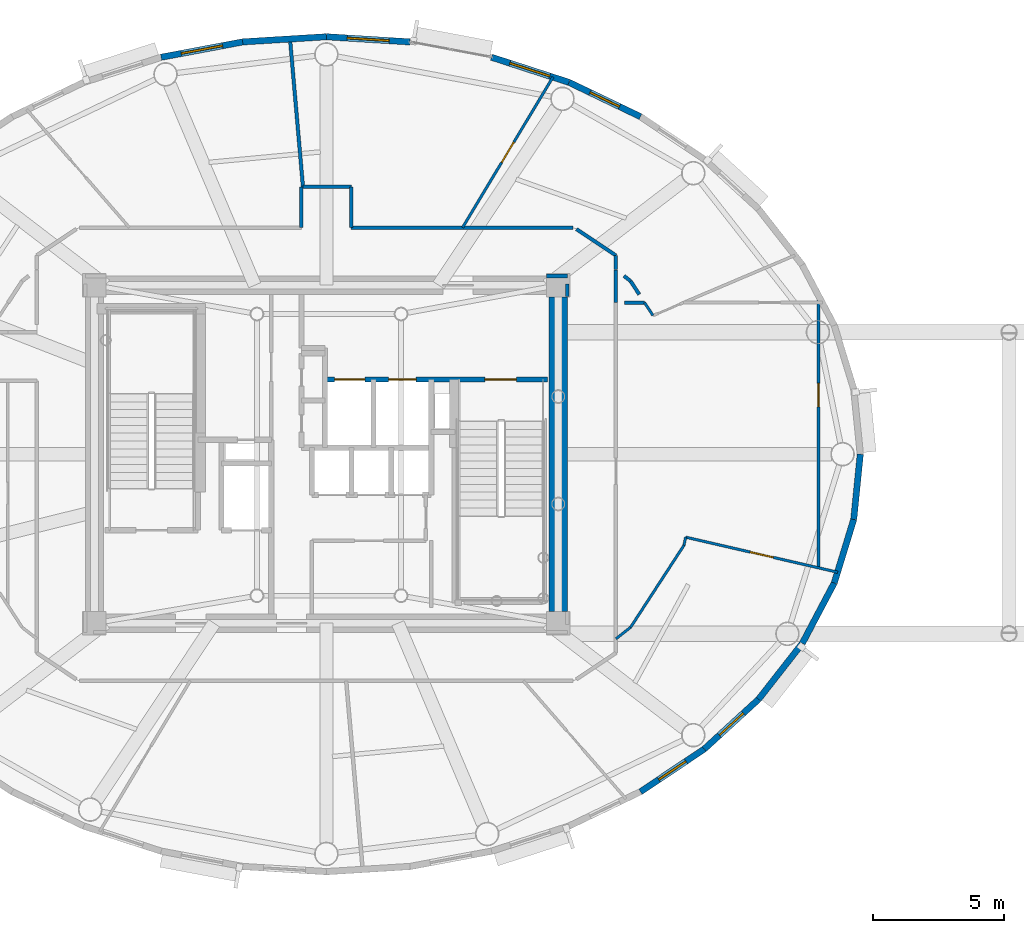
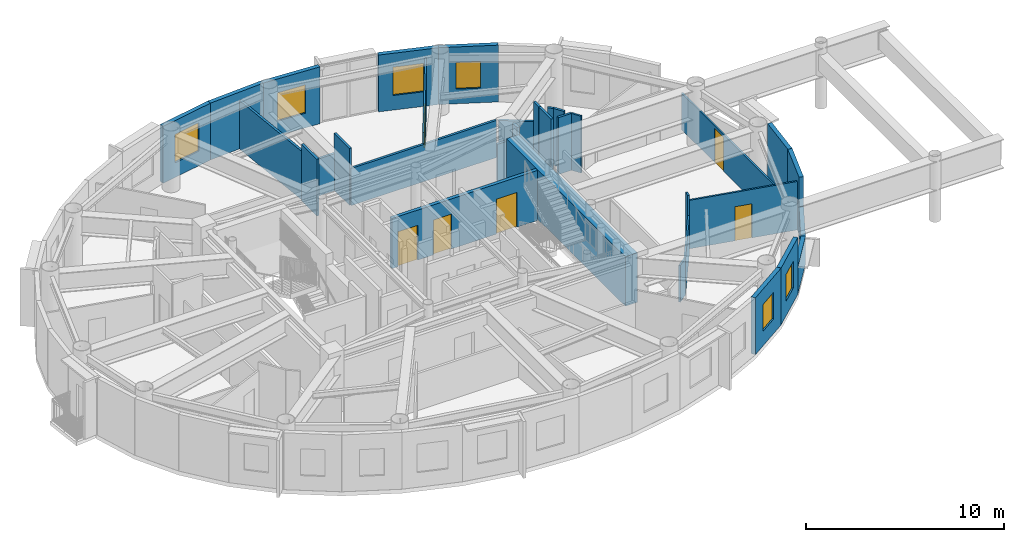
# One storey, part 9 of 16: 33 walls, 6 doors, 6 windows, 12 openings.
"""IFC4 building model written with IfcOpenShell, lengths in metres."""

from ifc_helpers import new_model, si_unit, direction, frame, frame_2d, origin, origin_2d, place, context, subcontext, project, spatial, rectangle, extrude, source, transform, mapped, material, layer, layer_set, type_object, element, fill, save


model = new_model("IFC4")

# Units and contexts
model_context = context("Model", 3, precision=1e-05, world=origin(), true_north=direction((0.0, 1.0)))
body_context = subcontext(model_context, "Body", "Model", "MODEL_VIEW")
ifc_project = project(units=[si_unit("LENGTHUNIT", "METRE"), si_unit("AREAUNIT", "SQUARE_METRE"), si_unit("VOLUMEUNIT", "CUBIC_METRE"), si_unit("PLANEANGLEUNIT", "RADIAN"), si_unit("MASSUNIT", "GRAM", prefix="KILO")], contexts=[model_context])

# Site, building, storey
site_placement = place(None, origin())
site = spatial("IfcSite", under=ifc_project, at=site_placement, CompositionType="ELEMENT")
building_placement = place(site_placement, origin())
building = spatial("IfcBuilding", under=site, at=building_placement, Name="Linh Dai School and Residence Tower", CompositionType="ELEMENT")
storey_placement = place(building_placement, frame((0.0, 0.0, 343.0)))
storey = spatial("IfcBuildingStorey", under=building, at=storey_placement, Name="L85", CompositionType="ELEMENT", Elevation=343.0)

# Wall, opening, window
ifc_material_1 = material(Name="Precast Concrete B45 (C35/45)", Category="concrete")
ifc_layer_1 = layer(ifc_material_1, 0.239990234375)
ifc_layer_set_1 = layer_set([ifc_layer_1], Name="Precast Concrete B45 (C35/45)")
wall_type_1 = type_object("IfcWallType", Name="EW-TC-240", PredefinedType="SOLIDWALL", material=ifc_layer_set_1)
wall_1_placement = place(storey_placement, frame((45.260498046875, 41.18896484375, 0.0), z_axis=(0.0, 0.0, 1.0), x_axis=(0.901557057889, -0.432660226241, 0.0)))
wall_1 = element("IfcWall", 1, at=wall_1_placement, inside=storey, type_object=wall_type_1, Name="L85 Terracotta Exterior Wall 07", PredefinedType="SOLIDWALL", context=body_context, shape_type="SweptSolid", body=[
    extrude(rectangle(XDim=3.025146484375, YDim=0.239990234375, at=frame_2d((1.5126953125, 0.0))), origin(), (0.0, 0.0, 1.0), 3.5),
])
opening_1_placement = place(wall_1_placement, frame((0.887451171875, 0.0, 0.89990234375)))
opening_1 = element("IfcOpeningElement", 2, at=opening_1_placement, cuts=wall_1, Name="Opening W3", PredefinedType="OPENING", context=body_context, shape_type="SweptSolid", body=[
    extrude(rectangle(XDim=1.25, YDim=1.64990234375, at=origin_2d()), frame((0.625, 0.1298828125, 0.824951171875), z_axis=(0.0, -1.0, 0.0), x_axis=(1.0, 0.0, 0.0)), (0.0, 0.0, 1.0), 0.260009765625),
])
ifc_material_2 = material(Name="Double Low-E Insulated Glazing", Category="glass")
window_type_1 = type_object("IfcWindowType", Name="WN-RES-1250x1650", PartitioningType="SINGLE_PANEL", PredefinedType="WINDOW", material=ifc_material_2)
shared_shape_1 = source(origin(), body_context, "Body", "SweptSolid", [
    extrude(rectangle(XDim=1.25, YDim=1.64990234375, at=origin_2d()), frame((0.625, 0.030029296875, 0.824951171875), z_axis=(0.0, -1.0, 0.0), x_axis=(1.0, 0.0, 0.0)), (0.0, 0.0, 1.0), 0.06005859375),
])
window_1_placement = place(opening_1_placement, origin())
window_1 = element("IfcWindow", 3, at=window_1_placement, inside=storey, type_object=window_type_1, Name="L85 Exterior Window 07.1", OverallHeight=1.64990234375, OverallWidth=1.25, PartitioningType="SINGLE_PANEL", PredefinedType="WINDOW", context=body_context, shape_type="MappedRepresentation", body=[
    mapped(shared_shape_1, transform((0.0, 0.0, 0.0), x_axis=(1.0, 0.0, 0.0), y_axis=(0.0, 1.0, 0.0), z_axis=(0.0, 0.0, 1.0), scale=1.0)),
])
fill(opening_1, window_1)

wall_2_placement = place(storey_placement, frame((42.303955078125, 42.14794921875, 0.0), z_axis=(0.0, 0.0, 1.0), x_axis=(0.951212850731, -0.308535431682, 0.0)))
wall_2 = element("IfcWall", 4, at=wall_2_placement, inside=storey, type_object=wall_type_1, Name="L85 Terracotta Exterior Wall 08", PredefinedType="SOLIDWALL", context=body_context, shape_type="SweptSolid", body=[
    extrude(rectangle(XDim=3.108154296875, YDim=0.239990234375, at=frame_2d((1.55419921875, 0.0))), origin(), (0.0, 0.0, 1.0), 3.5),
])
opening_2_placement = place(wall_2_placement, frame((0.734375, 0.0, 0.89990234375)))
opening_2 = element("IfcOpeningElement", 5, at=opening_2_placement, cuts=wall_2, Name="Opening W2", PredefinedType="OPENING", context=body_context, shape_type="SweptSolid", body=[
    extrude(rectangle(XDim=1.60009765625, YDim=1.75, at=origin_2d()), frame((0.800048828125, 0.1298828125, 0.875), z_axis=(0.0, -1.0, 0.0), x_axis=(1.0, 0.0, 0.0)), (0.0, 0.0, 1.0), 0.260009765625),
])
window_type_2 = type_object("IfcWindowType", Name="WN-RES-1600x1750", PartitioningType="DOUBLE_PANEL_VERTICAL", PredefinedType="WINDOW", material=ifc_material_2)
shared_shape_2 = source(origin(), body_context, "Body", "SweptSolid", [
    extrude(rectangle(XDim=1.60009765625, YDim=1.75, at=origin_2d()), frame((0.800048828125, 0.030029296875, 0.875), z_axis=(0.0, -1.0, 0.0), x_axis=(1.0, 0.0, 0.0)), (0.0, 0.0, 1.0), 0.06005859375),
])
window_2_placement = place(opening_2_placement, origin())
window_2 = element("IfcWindow", 6, at=window_2_placement, inside=storey, type_object=window_type_2, Name="L85 Exterior Window 08.1", OverallHeight=1.75, OverallWidth=1.60009765625, PartitioningType="DOUBLE_PANEL_VERTICAL", PredefinedType="WINDOW", context=body_context, shape_type="MappedRepresentation", body=[
    mapped(shared_shape_2, transform((0.0, 0.0, 0.0), x_axis=(1.0, 0.0, 0.0), y_axis=(0.0, 1.0, 0.0), z_axis=(0.0, 0.0, 1.0), scale=1.0)),
])
fill(opening_2, window_2)

wall_3_placement = place(storey_placement, frame((36.0, 42.929931640625, 0.0), z_axis=(0.0, 0.0, 1.0), x_axis=(0.998109204399, -0.061465568355, 0.0)))
wall_3 = element("IfcWall", 7, at=wall_3_placement, inside=storey, type_object=wall_type_1, Name="L85 Terracotta Exterior Wall 10", PredefinedType="SOLIDWALL", context=body_context, shape_type="SweptSolid", body=[
    extrude(rectangle(XDim=3.197509765625, YDim=0.239990234375, at=frame_2d((1.5986328125, 0.0))), origin(), (0.0, 0.0, 1.0), 3.5),
])
opening_3_placement = place(wall_3_placement, frame((0.798828125, 0.0, 0.89990234375)))
opening_3 = element("IfcOpeningElement", 8, at=opening_3_placement, cuts=wall_3, Name="Opening W2", PredefinedType="OPENING", context=body_context, shape_type="SweptSolid", body=[
    extrude(rectangle(XDim=1.60009765625, YDim=1.75, at=origin_2d()), frame((0.800048828125, 0.1298828125, 0.875), z_axis=(0.0, -1.0, 0.0), x_axis=(1.0, 0.0, 0.0)), (0.0, 0.0, 1.0), 0.260009765625),
])
window_3_placement = place(opening_3_placement, origin())
window_3 = element("IfcWindow", 9, at=window_3_placement, inside=storey, type_object=window_type_2, Name="L85 Exterior Window 10.1", OverallHeight=1.75, OverallWidth=1.60009765625, PartitioningType="DOUBLE_PANEL_VERTICAL", PredefinedType="WINDOW", context=body_context, shape_type="MappedRepresentation", body=[
    mapped(shared_shape_2, transform((0.0, 0.0, 0.0), x_axis=(1.0, 0.0, 0.0), y_axis=(0.0, 1.0, 0.0), z_axis=(0.0, 0.0, 1.0), scale=1.0)),
])
fill(opening_3, window_3)

# Wall
wall_4_placement = place(storey_placement, frame((32.80859375, 42.7333984375, 0.0), z_axis=(0.0, 0.0, 1.0), x_axis=(0.998109204399, 0.061465568355, 0.0)))
element("IfcWall", 10, at=wall_4_placement, inside=storey, type_object=wall_type_1, Name="L85 Terracotta Exterior Wall 11", PredefinedType="SOLIDWALL", context=body_context, shape_type="SweptSolid", body=[
    extrude(rectangle(XDim=3.197509765625, YDim=0.239990234375, at=frame_2d((1.5986328125, 0.0))), origin(), (0.0, 0.0, 1.0), 3.5),
])

# Wall, opening, window
wall_5_placement = place(storey_placement, frame((29.696044921875, 42.14794921875, 0.0), z_axis=(0.0, 0.0, 1.0), x_axis=(0.98276643264, 0.184851667226, 0.0)))
wall_5 = element("IfcWall", 11, at=wall_5_placement, inside=storey, type_object=wall_type_1, Name="L85 Terracotta Exterior Wall 12", PredefinedType="SOLIDWALL", context=body_context, shape_type="SweptSolid", body=[
    extrude(rectangle(XDim=3.167236328125, YDim=0.239990234375, at=frame_2d((1.58349609375, 0.0))), origin(), (0.0, 0.0, 1.0), 3.5),
])
opening_4_placement = place(wall_5_placement, frame((0.78369140625, 0.0, 0.89990234375)))
opening_4 = element("IfcOpeningElement", 12, at=opening_4_placement, cuts=wall_5, Name="Opening W2", PredefinedType="OPENING", context=body_context, shape_type="SweptSolid", body=[
    extrude(rectangle(XDim=1.60009765625, YDim=1.75, at=origin_2d()), frame((0.800048828125, 0.1298828125, 0.875), z_axis=(0.0, -1.0, 0.0), x_axis=(1.0, 0.0, 0.0)), (0.0, 0.0, 1.0), 0.260009765625),
])
window_4_placement = place(opening_4_placement, origin())
window_4 = element("IfcWindow", 13, at=window_4_placement, inside=storey, type_object=window_type_2, Name="L85 Exterior Window 12.1", OverallHeight=1.75, OverallWidth=1.60009765625, PartitioningType="DOUBLE_PANEL_VERTICAL", PredefinedType="WINDOW", context=body_context, shape_type="MappedRepresentation", body=[
    mapped(shared_shape_2, transform((0.0, 0.0, 0.0), x_axis=(1.0, 0.0, 0.0), y_axis=(0.0, 1.0, 0.0), z_axis=(0.0, 0.0, 1.0), scale=1.0)),
])
fill(opening_4, window_4)

wall_6_placement = place(storey_placement, frame((50.418701171875, 15.745849609375, 0.0), z_axis=(0.0, 0.0, 1.0), x_axis=(-0.831201688654, -0.555970999944, 0.0)))
wall_6 = element("IfcWall", 14, at=wall_6_placement, inside=storey, type_object=wall_type_1, Name="L85 Terracotta Exterior Wall 35", PredefinedType="SOLIDWALL", context=body_context, shape_type="SweptSolid", body=[
    extrude(rectangle(XDim=2.924560546875, YDim=0.239990234375, at=frame_2d((1.46240234375, 0.0))), origin(), (0.0, 0.0, 1.0), 3.5),
])
opening_5_placement = place(wall_6_placement, frame((0.83740234375, 0.0, 0.89990234375)))
opening_5 = element("IfcOpeningElement", 15, at=opening_5_placement, cuts=wall_6, Name="Opening W3", PredefinedType="OPENING", context=body_context, shape_type="SweptSolid", body=[
    extrude(rectangle(XDim=1.25, YDim=1.64990234375, at=origin_2d()), frame((0.625, 0.1298828125, 0.824951171875), z_axis=(0.0, -1.0, 0.0), x_axis=(1.0, 0.0, 0.0)), (0.0, 0.0, 1.0), 0.260009765625),
])
window_5_placement = place(opening_5_placement, origin())
window_5 = element("IfcWindow", 16, at=window_5_placement, inside=storey, type_object=window_type_1, Name="L85 Exterior Window 35.1", OverallHeight=1.64990234375, OverallWidth=1.25, PartitioningType="SINGLE_PANEL", PredefinedType="WINDOW", context=body_context, shape_type="MappedRepresentation", body=[
    mapped(shared_shape_1, transform((0.0, 0.0, 0.0), x_axis=(1.0, 0.0, 0.0), y_axis=(0.0, 1.0, 0.0), z_axis=(0.0, 0.0, 1.0), scale=1.0)),
])
fill(opening_5, window_5)

wall_7_placement = place(storey_placement, frame((52.4931640625, 17.648193359375, 0.0), z_axis=(0.0, 0.0, 1.0), x_axis=(-0.737020907932, -0.675869944051, 0.0)))
wall_7 = element("IfcWall", 17, at=wall_7_placement, inside=storey, type_object=wall_type_1, Name="L85 Terracotta Exterior Wall 36", PredefinedType="SOLIDWALL", context=body_context, shape_type="SweptSolid", body=[
    extrude(rectangle(XDim=2.814697265625, YDim=0.239990234375, at=frame_2d((1.4072265625, 0.0))), origin(), (0.0, 0.0, 1.0), 3.5),
])
opening_6_placement = place(wall_7_placement, frame((0.78271484375, 0.0, 0.89990234375)))
opening_6 = element("IfcOpeningElement", 18, at=opening_6_placement, cuts=wall_7, Name="Opening W3", PredefinedType="OPENING", context=body_context, shape_type="SweptSolid", body=[
    extrude(rectangle(XDim=1.25, YDim=1.64990234375, at=origin_2d()), frame((0.625, 0.1298828125, 0.824951171875), z_axis=(0.0, -1.0, 0.0), x_axis=(1.0, 0.0, 0.0)), (0.0, 0.0, 1.0), 0.260009765625),
])
window_6_placement = place(opening_6_placement, origin())
window_6 = element("IfcWindow", 19, at=window_6_placement, inside=storey, type_object=window_type_1, Name="L85 Exterior Window 36.1", OverallHeight=1.64990234375, OverallWidth=1.25, PartitioningType="SINGLE_PANEL", PredefinedType="WINDOW", context=body_context, shape_type="MappedRepresentation", body=[
    mapped(shared_shape_1, transform((0.0, 0.0, 0.0), x_axis=(1.0, 0.0, 0.0), y_axis=(0.0, 1.0, 0.0), z_axis=(0.0, 0.0, 1.0), scale=1.0)),
])
fill(opening_6, window_6)

# Walls
wall_8_placement = place(storey_placement, frame((54.160888671875, 19.779296875, 0.0), z_axis=(0.0, 0.0, 1.0), x_axis=(-0.616286367698, -0.78752213492, 0.0)))
element("IfcWall", 20, at=wall_8_placement, inside=storey, type_object=wall_type_1, Name="L85 Terracotta Exterior Wall 37", PredefinedType="SOLIDWALL", context=body_context, shape_type="SweptSolid", body=[
    extrude(rectangle(XDim=2.7060546875, YDim=0.239990234375, at=frame_2d((1.35302734375, 0.0))), origin(), (0.0, 0.0, 1.0), 1.68505859375),
])
wall_9_placement = place(storey_placement, frame((55.381103515625, 22.086669921875, 0.0), z_axis=(0.0, 0.0, 1.0), x_axis=(-0.467487999989, -0.883999417345, 0.0)))
element("IfcWall", 21, at=wall_9_placement, inside=storey, type_object=wall_type_1, Name="L85 Terracotta Exterior Wall 38", PredefinedType="SOLIDWALL", context=body_context, shape_type="SweptSolid", body=[
    extrude(rectangle(XDim=2.610107421875, YDim=0.239990234375, at=frame_2d((1.30517578125, 0.0))), origin(), (0.0, 0.0, 1.0), 1.68505859375),
])
wall_10_placement = place(storey_placement, frame((56.125, 24.51318359375, 0.0), z_axis=(0.0, 0.0, 1.0), x_axis=(-0.293105547213, -0.956080089842, 0.0)))
element("IfcWall", 22, at=wall_10_placement, inside=storey, type_object=wall_type_1, Name="L85 Terracotta Exterior Wall 39", PredefinedType="SOLIDWALL", context=body_context, shape_type="SweptSolid", body=[
    extrude(rectangle(XDim=2.5380859375, YDim=0.239990234375, at=frame_2d((1.26904296875, 0.0))), origin(), (0.0, 0.0, 1.0), 3.5),
])
wall_11_placement = place(storey_placement, frame((56.375, 27.0, 0.0), z_axis=(0.0, 0.0, 1.0), x_axis=(-0.100025963401, -0.994984827344, 0.0)))
element("IfcWall", 23, at=wall_11_placement, inside=storey, type_object=wall_type_1, Name="L85 Terracotta Exterior Wall 40", PredefinedType="SOLIDWALL", context=body_context, shape_type="SweptSolid", body=[
    extrude(rectangle(XDim=2.499267578125, YDim=0.239990234375, at=frame_2d((1.24951171875, 0.0))), origin(), (0.0, 0.0, 1.0), 3.5),
])
ifc_material_3 = material(Name="Autoclaved Aerated Concrete Blockwork", Category="masonry")
ifc_layer_2 = layer(ifc_material_3, 0.135009765625)
ifc_layer_set_2 = layer_set([ifc_layer_2], Name="Autoclaved Aerated Concrete Blockwork")
wall_type_2 = type_object("IfcWallType", Name="IW-CORR-135-EI90", PredefinedType="PARTITIONING", material=ifc_layer_set_2)
wall_12_placement = place(storey_placement, frame((34.61328125, 42.849609375, 0.0), z_axis=(0.0, 0.0, 1.0), x_axis=(0.087173892563, -0.996193110022, 0.0)))
element("IfcWall", 24, at=wall_12_placement, inside=storey, type_object=wall_type_2, Name="L85 Interior Partition Wall 028", PredefinedType="PARTITIONING", context=body_context, shape_type="SweptSolid", body=[
    extrude(rectangle(XDim=5.671142578125, YDim=0.135009765625, at=frame_2d((2.83544921875, 0.0))), origin(), (0.0, 0.0, 1.0), 2.985107421875),
])
wall_13_placement = place(storey_placement, frame((35.050048828125, 35.64990234375, 0.0), z_axis=(0.0, 0.0, 1.0), x_axis=(0.0, 1.0, 0.0)))
element("IfcWall", 25, at=wall_13_placement, inside=storey, type_object=wall_type_2, Name="L85 Interior Partition Wall 035", PredefinedType="PARTITIONING", context=body_context, shape_type="SweptSolid", body=[
    extrude(rectangle(XDim=1.550048828125, YDim=0.135009765625, at=frame_2d((0.77490234375, 0.0))), origin(), (0.0, 0.0, 1.0), 3.5),
])
wall_14_placement = place(storey_placement, frame((35.107666015625, 37.199951171875, 0.0), z_axis=(0.0, 0.0, 1.0), x_axis=(1.0, 0.0, 0.0)))
element("IfcWall", 26, at=wall_14_placement, inside=storey, type_object=wall_type_2, Name="L85 Interior Partition Wall 036", PredefinedType="PARTITIONING", context=body_context, shape_type="SweptSolid", body=[
    extrude(rectangle(XDim=1.84228515625, YDim=0.135009765625, at=frame_2d((0.921142578125, 0.0))), origin(), (0.0, 0.0, 1.0), 2.284912109375),
])
wall_15_placement = place(storey_placement, frame((36.949951171875, 35.64990234375, 0.0), z_axis=(0.0, 0.0, 1.0), x_axis=(0.0, 1.0, 0.0)))
element("IfcWall", 27, at=wall_15_placement, inside=storey, type_object=wall_type_2, Name="L85 Interior Partition Wall 044", PredefinedType="PARTITIONING", context=body_context, shape_type="SweptSolid", body=[
    extrude(rectangle(XDim=1.550048828125, YDim=0.135009765625, at=frame_2d((0.77490234375, 0.0))), origin(), (0.0, 0.0, 1.0), 3.5),
])
wall_16_placement = place(storey_placement, frame((36.949951171875, 35.64990234375, 0.0), z_axis=(0.0, 0.0, 1.0), x_axis=(1.0, 0.0, 0.0)))
element("IfcWall", 28, at=wall_16_placement, inside=storey, type_object=wall_type_2, Name="L85 Interior Partition Wall 045", PredefinedType="PARTITIONING", context=body_context, shape_type="SweptSolid", body=[
    extrude(rectangle(XDim=8.469970703125, YDim=0.135009765625, at=frame_2d((4.23486328125, 0.0))), origin(), (0.0, 0.0, 1.0), 2.284912109375),
])
wall_17_placement = place(storey_placement, frame((45.541259765625, 35.591796875, 0.0), z_axis=(0.0, 0.0, 1.0), x_axis=(0.831180227396, -0.556003084151, 0.0)))
element("IfcWall", 29, at=wall_17_placement, inside=storey, type_object=wall_type_2, Name="L85 Interior Partition Wall 057", PredefinedType="PARTITIONING", context=body_context, shape_type="SweptSolid", body=[
    extrude(rectangle(XDim=1.815185546875, YDim=0.135009765625, at=frame_2d((0.90771484375, 0.0))), origin(), (0.0, 0.0, 1.0), 2.284912109375),
])
wall_18_placement = place(storey_placement, frame((47.050048828125, 34.0439453125, 0.0), z_axis=(0.0, 0.0, 1.0), x_axis=(0.0, 1.0, 0.0)))
element("IfcWall", 30, at=wall_18_placement, inside=storey, type_object=wall_type_2, Name="L85 Interior Partition Wall 060", PredefinedType="PARTITIONING", context=body_context, shape_type="SweptSolid", body=[
    extrude(rectangle(XDim=0.53857421875, YDim=0.135009765625, at=frame_2d((0.269287109375, 0.0))), origin(), (0.0, 0.0, 1.0), 3.5),
])
wall_19_placement = place(storey_placement, frame((47.050048828125, 34.033935546875, 0.0), z_axis=(0.0, 0.0, 1.0), x_axis=(0.0, -1.0, 0.0)))
element("IfcWall", 31, at=wall_19_placement, inside=storey, type_object=wall_type_2, Name="L85 Interior Partition Wall 072", PredefinedType="PARTITIONING", context=body_context, shape_type="SweptSolid", body=[
    extrude(rectangle(XDim=1.23681640625, YDim=0.135009765625, at=frame_2d((0.618408203125, 0.0))), origin(), (0.0, 0.0, 1.0), 3.5),
])
wall_20_placement = place(storey_placement, frame((45.199951171875, 33.800048828125, 0.0), z_axis=(0.0, 0.0, 1.0), x_axis=(-1.0, 0.0, 0.0)))
element("IfcWall", 32, at=wall_20_placement, inside=storey, type_object=wall_type_2, Name="L85 Interior Partition Wall 073", PredefinedType="PARTITIONING", context=body_context, shape_type="SweptSolid", body=[
    extrude(rectangle(XDim=0.7900390625, YDim=0.135009765625, at=frame_2d((0.39501953125, 0.0))), origin(), (0.0, 0.0, 1.0), 2.284912109375),
])
wall_21_placement = place(storey_placement, frame((45.199951171875, 33.010009765625, 0.0), z_axis=(0.0, 0.0, 1.0), x_axis=(0.0, 1.0, 0.0)))
element("IfcWall", 33, at=wall_21_placement, inside=storey, type_object=wall_type_2, Name="L85 Interior Partition Wall 080", PredefinedType="PARTITIONING", context=body_context, shape_type="SweptSolid", body=[
    extrude(rectangle(XDim=0.482421875, YDim=0.135009765625, at=frame_2d((0.2412109375, 0.0))), origin(), (0.0, 0.0, 1.0), 3.5),
])
wall_22_placement = place(storey_placement, frame((47.37744140625, 32.787109375, 0.0), z_axis=(0.0, 0.0, 1.0), x_axis=(1.0, 0.0, 0.0)))
element("IfcWall", 34, at=wall_22_placement, inside=storey, type_object=wall_type_2, Name="L85 Interior Partition Wall 083", PredefinedType="PARTITIONING", context=body_context, shape_type="SweptSolid", body=[
    extrude(rectangle(XDim=0.7646484375, YDim=0.135009765625, at=frame_2d((0.38232421875, 0.0))), origin(), (0.0, 0.0, 1.0), 3.5),
])
wall_23_placement = place(storey_placement, frame((47.942138671875, 33.094482421875, 0.0), z_axis=(0.0, 0.0, 1.0), x_axis=(-0.545522826825, 0.838095964322, 0.0)))
element("IfcWall", 35, at=wall_23_placement, inside=storey, type_object=wall_type_2, Name="L85 Interior Partition Wall 084", PredefinedType="PARTITIONING", context=body_context, shape_type="SweptSolid", body=[
    extrude(rectangle(XDim=0.610107421875, YDim=0.135009765625, at=frame_2d((0.30517578125, 0.0))), origin(), (0.0, 0.0, 1.0), 3.5),
])
wall_24_placement = place(storey_placement, frame((47.609375, 33.605712890625, 0.0), z_axis=(0.0, 0.0, 1.0), x_axis=(-0.787376183758, 0.616472826043, 0.0)))
element("IfcWall", 36, at=wall_24_placement, inside=storey, type_object=wall_type_2, Name="L85 Interior Partition Wall 085", PredefinedType="PARTITIONING", context=body_context, shape_type="SweptSolid", body=[
    extrude(rectangle(XDim=0.320068359375, YDim=0.135009765625, at=frame_2d((0.16015625, 0.0))), origin(), (0.0, 0.0, 1.0), 3.5),
])

# Wall, openings, doors
ifc_material_4 = material(Name="Concrete B45 (C35/45)", Category="concrete")
ifc_layer_3 = layer(ifc_material_4, 0.199951171875)
ifc_layer_set_3 = layer_set([ifc_layer_3], Name="Concrete B45 (C35/45)")
wall_type_3 = type_object("IfcWallType", Name="IW-SHAFT-200-EI120", PredefinedType="PARTITIONING", material=ifc_layer_set_3)
wall_25_placement = place(storey_placement, frame((35.949951171875, 29.85009765625, 0.0), z_axis=(0.0, 0.0, 1.0), x_axis=(1.0, 0.0, 0.0)))
wall_25 = element("IfcWall", 37, at=wall_25_placement, inside=storey, type_object=wall_type_3, Name="L85 Interior Partition Wall 042", PredefinedType="PARTITIONING", context=body_context, shape_type="SweptSolid", body=[
    extrude(rectangle(XDim=8.489990234375, YDim=0.199951171875, at=frame_2d((4.2451171875, 0.0))), origin(), (0.0, 0.0, 1.0), 3.0849609375),
])
opening_7_placement = place(wall_25_placement, frame((6.10009765625, 0.0, 0.0)))
opening_7 = element("IfcOpeningElement", 38, at=opening_7_placement, cuts=wall_25, Name="Opening D01", PredefinedType="OPENING", context=body_context, shape_type="SweptSolid", body=[
    extrude(rectangle(XDim=1.199951171875, YDim=2.14990234375, at=origin_2d()), frame((0.60009765625, 0.10986328125, 1.074951171875), z_axis=(0.0, -1.0, 0.0), x_axis=(1.0, 0.0, 0.0)), (0.0, 0.0, 1.0), 0.219970703125),
])
opening_8_placement = place(wall_25_placement, frame((0.3701171875, 0.0, 0.0)))
opening_8 = element("IfcOpeningElement", 39, at=opening_8_placement, cuts=wall_25, Name="Opening LD-FF1", PredefinedType="OPENING", context=body_context, shape_type="SweptSolid", body=[
    extrude(rectangle(XDim=1.14990234375, YDim=2.14990234375, at=origin_2d()), frame((0.574951171875, 0.10986328125, 1.074951171875), z_axis=(0.0, -1.0, 0.0), x_axis=(1.0, 0.0, 0.0)), (0.0, 0.0, 1.0), 0.219970703125),
])
opening_9_placement = place(wall_25_placement, frame((2.425048828125, 0.0, 0.0)))
opening_9 = element("IfcOpeningElement", 40, at=opening_9_placement, cuts=wall_25, Name="Opening LD-SV1", PredefinedType="OPENING", context=body_context, shape_type="SweptSolid", body=[
    extrude(rectangle(XDim=1.050048828125, YDim=2.14990234375, at=origin_2d()), frame((0.52490234375, 0.10986328125, 1.074951171875), z_axis=(0.0, -1.0, 0.0), x_axis=(1.0, 0.0, 0.0)), (0.0, 0.0, 1.0), 0.219970703125),
])
ifc_material_5 = material(Name="Fire-Rated Steel Door Leaf", Category="steel")
door_type_1 = type_object("IfcDoorType", Name="DR-STAIR-1200x2150-FD90S", OperationType="NOTDEFINED", PredefinedType="DOOR", material=ifc_material_5)
shared_shape_3 = source(origin(), body_context, "Body", "SweptSolid", [
    extrude(rectangle(XDim=1.199951171875, YDim=2.14990234375, at=origin_2d()), frame((0.60009765625, 0.02490234375, 1.074951171875), z_axis=(0.0, -1.0, 0.0), x_axis=(1.0, 0.0, 0.0)), (0.0, 0.0, 1.0), 0.050048828125),
])
door_1_placement = place(opening_7_placement, origin())
door_1 = element("IfcDoor", 41, at=door_1_placement, inside=storey, type_object=door_type_1, Name="L85 Core Smokeproof Exit Stair ST2 Door", OperationType="SINGLE_SWING_RIGHT", OverallHeight=2.14990234375, OverallWidth=1.199951171875, PredefinedType="DOOR", context=body_context, shape_type="MappedRepresentation", body=[
    mapped(shared_shape_3, transform((0.0, 0.0, 0.0), x_axis=(1.0, 0.0, 0.0), y_axis=(0.0, 1.0, 0.0), z_axis=(0.0, 0.0, 1.0), scale=1.0)),
])
fill(opening_7, door_1)
ifc_material_6 = material(Name="Fire-Rated Stainless Steel Firefighting Lift Door", Category="steel")
door_type_2 = type_object("IfcDoorType", Name="DR-LD-FF-1150x2150-FD120", OperationType="DOUBLE_DOOR_SLIDING", PredefinedType="USERDEFINED", material=ifc_material_6)
shared_shape_4 = source(origin(), body_context, "Body", "SweptSolid", [
    extrude(rectangle(XDim=1.14990234375, YDim=2.14990234375, at=origin_2d()), frame((0.574951171875, 0.02490234375, 1.074951171875), z_axis=(0.0, -1.0, 0.0), x_axis=(1.0, 0.0, 0.0)), (0.0, 0.0, 1.0), 0.050048828125),
])
door_2_placement = place(opening_8_placement, origin())
door_2 = element("IfcDoor", 42, at=door_2_placement, inside=storey, type_object=door_type_2, Name="L85 Lift FF1 Sliding Landing Door", ObjectType="LANDING DOOR", OperationType="DOUBLE_DOOR_SLIDING", OverallHeight=2.14990234375, OverallWidth=1.14990234375, PredefinedType="USERDEFINED", context=body_context, shape_type="MappedRepresentation", body=[
    mapped(shared_shape_4, transform((0.0, 0.0, 0.0), x_axis=(1.0, 0.0, 0.0), y_axis=(0.0, 1.0, 0.0), z_axis=(0.0, 0.0, 1.0), scale=1.0)),
])
fill(opening_8, door_2)
ifc_material_7 = material(Name="Brushed Stainless Steel Lift Landing Door", Category="steel")
door_type_3 = type_object("IfcDoorType", Name="DR-LD-PASS-1050x2150", OperationType="DOUBLE_DOOR_SLIDING", PredefinedType="USERDEFINED", material=ifc_material_7)
shared_shape_5 = source(origin(), body_context, "Body", "SweptSolid", [
    extrude(rectangle(XDim=1.050048828125, YDim=2.14990234375, at=origin_2d()), frame((0.52490234375, 0.02490234375, 1.074951171875), z_axis=(0.0, -1.0, 0.0), x_axis=(1.0, 0.0, 0.0)), (0.0, 0.0, 1.0), 0.050048828125),
])
door_3_placement = place(opening_9_placement, origin())
door_3 = element("IfcDoor", 43, at=door_3_placement, inside=storey, type_object=door_type_3, Name="L85 Lift SV1 Sliding Landing Door", ObjectType="LANDING DOOR", OperationType="DOUBLE_DOOR_SLIDING", OverallHeight=2.14990234375, OverallWidth=1.050048828125, PredefinedType="USERDEFINED", context=body_context, shape_type="MappedRepresentation", body=[
    mapped(shared_shape_5, transform((0.0, 0.0, 0.0), x_axis=(1.0, 0.0, 0.0), y_axis=(0.0, 1.0, 0.0), z_axis=(0.0, 0.0, 1.0), scale=1.0)),
])
fill(opening_9, door_3)

# Wall, opening, door
ifc_material_8 = material(Name="Gypsum Plasterboard Acoustic Stud Partition", Category="masonry")
ifc_layer_4 = layer(ifc_material_8, 0.10009765625)
ifc_layer_set_4 = layer_set([ifc_layer_4], Name="Gypsum Plasterboard Acoustic Stud Partition")
wall_type_4 = type_object("IfcWallType", Name="IW-UNIT-100", PredefinedType="PARTITIONING", material=ifc_layer_set_4)
wall_26_placement = place(storey_placement, frame((41.197509765625, 35.64990234375, 0.0), z_axis=(0.0, 0.0, 1.0), x_axis=(0.515036887737, 0.857168014026, 0.0)))
wall_26 = element("IfcWall", 44, at=wall_26_placement, inside=storey, type_object=wall_type_4, Name="L85 Interior Partition Wall 054", PredefinedType="PARTITIONING", context=body_context, shape_type="SweptSolid", body=[
    extrude(rectangle(XDim=6.699951171875, YDim=0.10009765625, at=frame_2d((3.35009765625, 0.0))), origin(), (0.0, 0.0, 1.0), 2.985107421875),
])
opening_10_placement = place(wall_26_placement, frame((2.89990234375, 0.0, 0.0)))
opening_10 = element("IfcOpeningElement", 45, at=opening_10_placement, cuts=wall_26, Name="Opening D05", PredefinedType="OPENING", context=body_context, shape_type="SweptSolid", body=[
    extrude(rectangle(XDim=0.89990234375, YDim=2.10009765625, at=origin_2d()), frame((0.449951171875, 0.06005859375, 1.050048828125), z_axis=(0.0, -1.0, 0.0), x_axis=(1.0, 0.0, 0.0)), (0.0, 0.0, 1.0), 0.1201171875),
])
ifc_material_9 = material(Name="Engineered Timber Internal Door", Category="wood")
door_type_4 = type_object("IfcDoorType", Name="DR-INT-900x2100", OperationType="NOTDEFINED", PredefinedType="DOOR", material=ifc_material_9)
shared_shape_6 = source(origin(), body_context, "Body", "SweptSolid", [
    extrude(rectangle(XDim=0.89990234375, YDim=2.10009765625, at=origin_2d()), frame((0.449951171875, 0.02490234375, 1.050048828125), z_axis=(0.0, -1.0, 0.0), x_axis=(1.0, 0.0, 0.0)), (0.0, 0.0, 1.0), 0.050048828125),
])
door_4_placement = place(opening_10_placement, origin())
door_4 = element("IfcDoor", 46, at=door_4_placement, inside=storey, type_object=door_type_4, Name="L85 Apartment U8502 Principal Bedroom 4 Door", OperationType="SINGLE_SWING_LEFT", OverallHeight=2.10009765625, OverallWidth=0.89990234375, PredefinedType="DOOR", context=body_context, shape_type="MappedRepresentation", body=[
    mapped(shared_shape_6, transform((0.0, 0.0, 0.0), x_axis=(1.0, 0.0, 0.0), y_axis=(0.0, 1.0, 0.0), z_axis=(0.0, 0.0, 1.0), scale=1.0)),
])
fill(opening_10, door_4)

# Walls
wall_27_placement = place(storey_placement, frame((47.050048828125, 19.9560546875, 0.0), z_axis=(0.0, 0.0, 1.0), x_axis=(0.787164110493, 0.616743595956, 0.0)))
element("IfcWall", 47, at=wall_27_placement, inside=storey, type_object=wall_type_4, Name="L85 Interior Partition Wall 059", PredefinedType="PARTITIONING", context=body_context, shape_type="SweptSolid", body=[
    extrude(rectangle(XDim=0.71044921875, YDim=0.10009765625, at=frame_2d((0.355224609375, 0.0))), origin(), (0.0, 0.0, 1.0), 2.25),
])
wall_28_placement = place(storey_placement, frame((47.609375, 20.394287109375, 0.0), z_axis=(0.0, 0.0, 1.0), x_axis=(0.545364838352, 0.838198778983, 0.0)))
element("IfcWall", 48, at=wall_28_placement, inside=storey, type_object=wall_type_4, Name="L85 Interior Partition Wall 061", PredefinedType="PARTITIONING", context=body_context, shape_type="SweptSolid", body=[
    extrude(rectangle(XDim=3.737548828125, YDim=0.10009765625, at=frame_2d((1.86865234375, 0.0))), origin(), (0.0, 0.0, 1.0), 2.25),
])
wall_29_placement = place(storey_placement, frame((48.14208984375, 32.787109375, 0.0), z_axis=(0.0, 0.0, 1.0), x_axis=(0.545336289771, -0.838217353112, 0.0)))
element("IfcWall", 49, at=wall_29_placement, inside=storey, type_object=wall_type_4, Name="L85 Interior Partition Wall 062", PredefinedType="PARTITIONING", context=body_context, shape_type="SweptSolid", body=[
    extrude(rectangle(XDim=0.591796875, YDim=0.10009765625, at=frame_2d((0.2958984375, 0.0))), origin(), (0.0, 0.0, 1.0), 3.5),
])
wall_30_placement = place(storey_placement, frame((49.647705078125, 23.527099609375, 0.0), z_axis=(0.0, 0.0, 1.0), x_axis=(0.198359507495, 0.980129331153, 0.0)))
element("IfcWall", 50, at=wall_30_placement, inside=storey, type_object=wall_type_4, Name="L85 Interior Partition Wall 065", PredefinedType="PARTITIONING", context=body_context, shape_type="SweptSolid", body=[
    extrude(rectangle(XDim=0.31396484375, YDim=0.10009765625, at=frame_2d((0.156982421875, 0.0))), origin(), (0.0, 0.0, 1.0), 3.5),
])

# Wall, opening, door
wall_31_placement = place(storey_placement, frame((49.7099609375, 23.834716796875, 0.0), z_axis=(0.0, 0.0, 1.0), x_axis=(0.974373225384, -0.224937363847, 0.0)))
wall_31 = element("IfcWall", 51, at=wall_31_placement, inside=storey, type_object=wall_type_4, Name="L85 Interior Partition Wall 066", PredefinedType="PARTITIONING", context=body_context, shape_type="SweptSolid", body=[
    extrude(rectangle(XDim=5.954345703125, YDim=0.10009765625, at=frame_2d((2.97705078125, 0.0))), origin(), (0.0, 0.0, 1.0), 2.985107421875),
])
opening_11_placement = place(wall_31_placement, frame((2.527099609375, 0.0, 0.0)))
opening_11 = element("IfcOpeningElement", 52, at=opening_11_placement, cuts=wall_31, Name="Opening D05", PredefinedType="OPENING", context=body_context, shape_type="SweptSolid", body=[
    extrude(rectangle(XDim=0.89990234375, YDim=2.10009765625, at=origin_2d()), frame((0.449951171875, 0.06005859375, 1.050048828125), z_axis=(0.0, -1.0, 0.0), x_axis=(1.0, 0.0, 0.0)), (0.0, 0.0, 1.0), 0.1201171875),
])
door_5_placement = place(opening_11_placement, origin())
door_5 = element("IfcDoor", 53, at=door_5_placement, inside=storey, type_object=door_type_4, Name="L85 Apartment U8502 Principal Bedroom 2 Door", OperationType="SINGLE_SWING_LEFT", OverallHeight=2.10009765625, OverallWidth=0.89990234375, PredefinedType="DOOR", context=body_context, shape_type="MappedRepresentation", body=[
    mapped(shared_shape_6, transform((0.0, 0.0, 0.0), x_axis=(1.0, 0.0, 0.0), y_axis=(0.0, 1.0, 0.0), z_axis=(0.0, 0.0, 1.0), scale=1.0)),
])
fill(opening_11, door_5)

wall_32_placement = place(storey_placement, frame((54.778076171875, 22.664794921875, 0.0), z_axis=(0.0, 0.0, 1.0), x_axis=(0.0, 1.0, 0.0)))
wall_32 = element("IfcWall", 54, at=wall_32_placement, inside=storey, type_object=wall_type_4, Name="L85 Interior Partition Wall 067", PredefinedType="PARTITIONING", context=body_context, shape_type="SweptSolid", body=[
    extrude(rectangle(XDim=10.399658203125, YDim=0.10009765625, at=frame_2d((5.19970703125, 0.0))), origin(), (0.0, 0.0, 1.0), 2.25),
])
opening_12_placement = place(wall_32_placement, frame((6.138916015625, 0.0, 0.0)))
opening_12 = element("IfcOpeningElement", 55, at=opening_12_placement, cuts=wall_32, Name="Opening D05", PredefinedType="OPENING", context=body_context, shape_type="SweptSolid", body=[
    extrude(rectangle(XDim=0.89990234375, YDim=2.10009765625, at=origin_2d()), frame((0.449951171875, 0.06005859375, 1.050048828125), z_axis=(0.0, -1.0, 0.0), x_axis=(1.0, 0.0, 0.0)), (0.0, 0.0, 1.0), 0.1201171875),
])
door_6_placement = place(opening_12_placement, origin())
door_6 = element("IfcDoor", 56, at=door_6_placement, inside=storey, type_object=door_type_4, Name="L85 Apartment U8502 Kitchen Door", OperationType="SINGLE_SWING_LEFT", OverallHeight=2.10009765625, OverallWidth=0.89990234375, PredefinedType="DOOR", context=body_context, shape_type="MappedRepresentation", body=[
    mapped(shared_shape_6, transform((0.0, 0.0, 0.0), x_axis=(1.0, 0.0, 0.0), y_axis=(0.0, 1.0, 0.0), z_axis=(0.0, 0.0, 1.0), scale=1.0)),
])
fill(opening_12, door_6)

# Wall
ifc_layer_5 = layer(ifc_material_4, 0.699951171875)
ifc_layer_set_5 = layer_set([ifc_layer_5], Name="Concrete B45 (C35/45)")
wall_type_5 = type_object("IfcWallType", Name="WL-CORE700", PredefinedType="SHEAR", material=ifc_layer_set_5)
wall_33_placement = place(storey_placement, frame((44.85009765625, 33.0, 0.0), z_axis=(0.0, 0.0, 1.0), x_axis=(0.0, -1.0, 0.0)))
element("IfcWall", 57, at=wall_33_placement, inside=storey, type_object=wall_type_5, Name="L85 Central Core Shear Wall E", PredefinedType="SHEAR", context=body_context, shape_type="SweptSolid", body=[
    extrude(rectangle(XDim=12.0, YDim=0.699951171875, at=frame_2d((6.0, 0.0))), origin(), (0.0, 0.0, 1.0), 3.050048828125),
])

save(model, "model.ifc")
